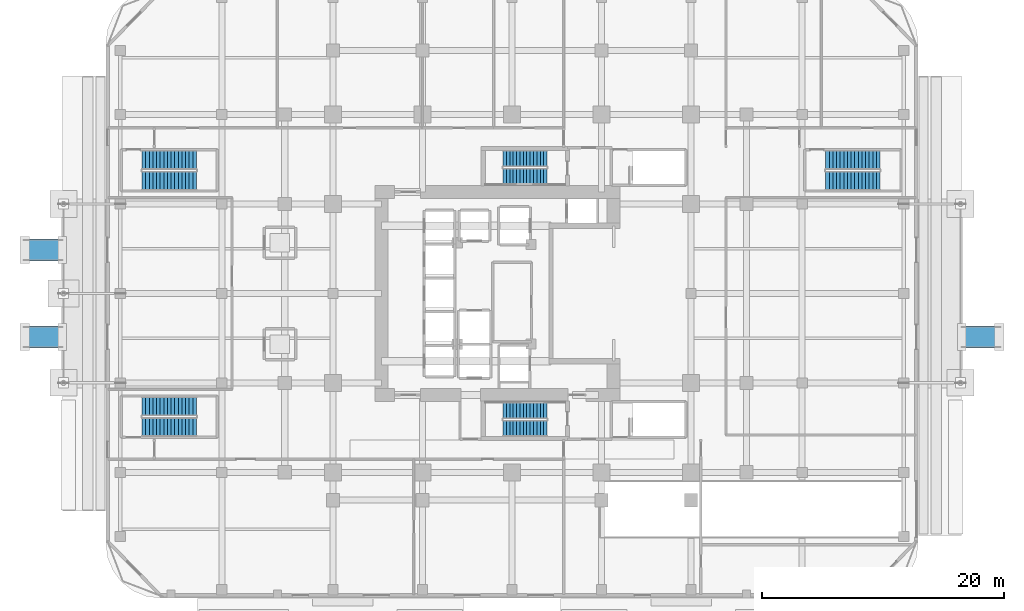
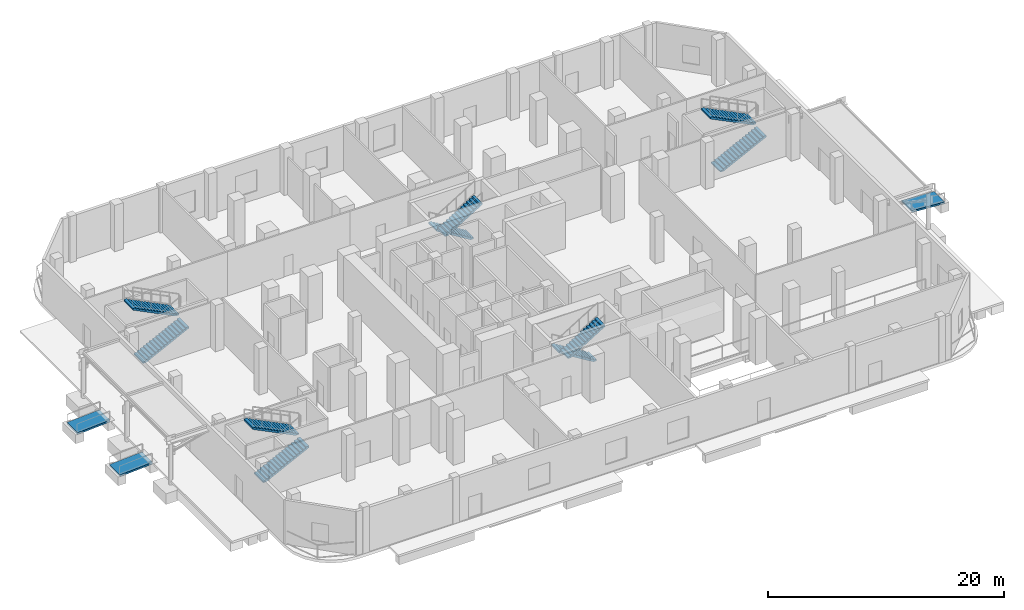
# One storey, part 18 of 24: 10 stair flights, 3 ramp flights, 8 elements without a shape of their own.
"""IFC4 building model written with IfcOpenShell, lengths in metres."""

import ifcopenshell
import ifcopenshell.guid

model = None  # the IFC model being written
_history = None  # IfcOwnerHistory: only IFC2X3 demands one
_inside = {}  # id of a spatial element -> (the spatial element, [elements in it])
_under = {}  # id of a project, library or spatial element -> (it, [spatial elements below it])
_declared = {}  # id of a project -> (the project, [libraries it declares])
_typed = {}  # id of a type object -> (the type object, [elements of that type])
_made_of = {}  # id of a material, layer set ... -> (it, [elements and type objects made of it])


def new_model(schema):
    """Start an empty IFC model of exactly this schema.

    Asked for "IFC4X3", IfcOpenShell would pick the latest addendum, in which some entities
    have other attributes; the version numbers below select the first issue.
    IFC2X3 requires an IfcOwnerHistory on every rooted entity: one is made here for all.
    """
    global model, _history
    if schema == "IFC4X3":
        model = ifcopenshell.file(schema_version=(4, 3, 0, 0))
    else:
        model = ifcopenshell.file(schema=schema)
    _inside.clear()
    _under.clear()
    _declared.clear()
    _typed.clear()
    _made_of.clear()
    _history = None
    if model.schema == "IFC2X3":
        org = make("IfcOrganization", Name="unknown")
        user = make(
            "IfcPersonAndOrganization",
            ThePerson=make("IfcPerson", FamilyName="unknown"),
            TheOrganization=org,
        )
        app = make(
            "IfcApplication",
            ApplicationDeveloper=org,
            Version="unknown",
            ApplicationFullName="unknown",
            ApplicationIdentifier="unknown",
        )
        _history = make(
            "IfcOwnerHistory",
            OwningUser=user,
            OwningApplication=app,
            ChangeAction="ADDED",
            CreationDate=0,
        )
    return model


def make(cls, **values):
    """One entity of the class cls with the attributes given. An attribute that is None is left unset."""
    return model.create_entity(
        cls, **{name: value for name, value in values.items() if value is not None}
    )


def rooted(cls, **values):
    """An entity with a GlobalId (a new one), such as an element, a storey or a relation."""
    return make(cls, GlobalId=ifcopenshell.guid.new(), OwnerHistory=_history, **values)


def si_unit(unit_type, name, prefix=None):
    """IfcSIUnit, for example si_unit("LENGTHUNIT", "METRE", prefix="MILLI")."""
    return make("IfcSIUnit", UnitType=unit_type, Prefix=prefix, Name=name)


def assignment(units):
    """IfcUnitAssignment: the units of a project."""
    return None if units is None else make("IfcUnitAssignment", Units=units)


def point(xyz):
    """IfcCartesianPoint."""
    return None if xyz is None else make("IfcCartesianPoint", Coordinates=xyz)


def direction(xyz):
    """IfcDirection."""
    return None if xyz is None else make("IfcDirection", DirectionRatios=xyz)


def frame(location, z_axis=None, x_axis=None):
    """IfcAxis2Placement3D, a coordinate frame: its origin and axes. An axis left out is left unset."""
    return make(
        "IfcAxis2Placement3D",
        Location=point(location),
        Axis=direction(z_axis),
        RefDirection=direction(x_axis),
    )


def origin():
    """The frame at (0, 0, 0) with its axes left unset."""
    return frame((0.0, 0.0, 0.0))


def place(relative_to, where):
    """IfcLocalPlacement: puts the frame where relative to a parent placement (None: the world)."""
    return make(
        "IfcLocalPlacement", PlacementRelTo=relative_to, RelativePlacement=where
    )


def context(
    kind, dimensions, precision=None, world=None, true_north=None, identifier=None
):
    """IfcGeometricRepresentationContext, for example the 3D "Model" context."""
    return make(
        "IfcGeometricRepresentationContext",
        ContextIdentifier=identifier,
        ContextType=kind,
        CoordinateSpaceDimension=dimensions,
        Precision=precision,
        WorldCoordinateSystem=world,
        TrueNorth=true_north,
    )


def subcontext(parent, identifier, kind, view, scale=None):
    """IfcGeometricRepresentationSubContext, for example "Body" below "Model"."""
    return make(
        "IfcGeometricRepresentationSubContext",
        ContextIdentifier=identifier,
        ContextType=kind,
        ParentContext=parent,
        TargetScale=scale,
        TargetView=view,
    )


def project(units=None, contexts=None):
    """IfcProject with its units and contexts."""
    return rooted(
        "IfcProject",
        Name="project",
        RepresentationContexts=contexts,
        UnitsInContext=assignment(units),
    )


def spatial(cls, under=None, at=None, **own):
    """A site, building, storey or space (cls), placed at a placement, below another one or the project."""
    s = rooted(cls, ObjectPlacement=at, **own)
    if under is not None:
        _under.setdefault(under.id(), (under, []))[1].append(s)
    return s


def polyline(points):
    """IfcPolyline through the points."""
    return make("IfcPolyline", Points=[point(p) for p in points])


def outline(outer, holes=None, kind="AREA"):
    """IfcArbitraryClosedProfileDef: a profile drawn as a closed curve; with holes, ...WithVoids."""
    if holes is None:
        return make("IfcArbitraryClosedProfileDef", ProfileType=kind, OuterCurve=outer)
    return make(
        "IfcArbitraryProfileDefWithVoids",
        ProfileType=kind,
        OuterCurve=outer,
        InnerCurves=holes,
    )


def extrude(swept, where, along, depth):
    """IfcExtrudedAreaSolid: the profile swept, set in the frame where, extruded along a direction by depth."""
    return make(
        "IfcExtrudedAreaSolid",
        SweptArea=swept,
        Position=where,
        ExtrudedDirection=direction(along),
        Depth=depth,
    )


def shape(context_of_items, identifier, shape_type, items):
    """IfcShapeRepresentation: the items that make up one representation, for example the "Body"."""
    return make(
        "IfcShapeRepresentation",
        ContextOfItems=context_of_items,
        RepresentationIdentifier=identifier,
        RepresentationType=shape_type,
        Items=items,
    )


def material(Name=None, Category=None):
    """IfcMaterial."""
    return make("IfcMaterial", Name=Name, Category=Category)


def layer(
    of_material, thickness, ventilated=None, Name=None, Category=None, Priority=None
):
    """IfcMaterialLayer: one layer of a wall or slab, of a material (None: an air gap)."""
    return make(
        "IfcMaterialLayer",
        Material=of_material,
        LayerThickness=thickness,
        IsVentilated=ventilated,
        Name=Name,
        Category=Category,
        Priority=Priority,
    )


def layer_set(layers, Name=None):
    """IfcMaterialLayerSet."""
    return make("IfcMaterialLayerSet", MaterialLayers=layers, LayerSetName=Name)


def made_of(thing, what):
    """Note that an element or type object is made of a material, layer set ...; save() writes the relation."""
    if what is not None:
        _made_of.setdefault(what.id(), (what, []))[1].append(thing)
    return thing


def type_object(cls, material=None, **own):
    """A type object (cls), such as IfcWallType, which elements share."""
    return made_of(rooted(cls, **own), material)


def element(
    cls,
    number,
    at=None,
    inside=None,
    cuts=None,
    type_object=None,
    material=None,
    context=None,
    identifier="Body",
    shape_type=None,
    held_by="IfcProductDefinitionShape",
    body=None,
    shapes=None,
    **own,
):
    """One element of the class cls, such as IfcWall. Its Tag is "e" and its number.

    at: its placement. inside: the storey or other place that contains it. cuts: it is an
    opening in that element (IfcRelVoidsElement). A single representation is given by context,
    identifier, shape_type and body (its items); several are given by shapes. held_by: the class
    of the entity that holds the representations. save() writes the other relations.
    """
    e = rooted(cls, Tag="e%d" % number, ObjectPlacement=at, **own)
    if body is not None:
        shapes = [shape(context, identifier, shape_type, body)]
    if shapes is not None:
        e.Representation = make(held_by, Representations=shapes)
    if inside is not None:
        _inside.setdefault(inside.id(), (inside, []))[1].append(e)
    if cuts is not None:
        rooted(
            "IfcRelVoidsElement", RelatingBuildingElement=cuts, RelatedOpeningElement=e
        )
    if type_object is not None:
        _typed.setdefault(type_object.id(), (type_object, []))[1].append(e)
    return made_of(e, material)


def aggregate(whole, parts):
    """IfcRelAggregates: a whole, such as a stair, and the parts it consists of."""
    return rooted("IfcRelAggregates", RelatingObject=whole, RelatedObjects=parts)


def save(model, path):
    """Write the relations noted so far, then the file.

    IfcRelAggregates (storeys below a building ...), IfcRelContainedInSpatialStructure (elements
    in a storey), IfcRelDefinesByType, IfcRelAssociatesMaterial and IfcRelDeclares: one each for
    every whole, place, type object, material and project.
    """
    for whole, parts in _under.values():
        aggregate(whole, parts)
    for where, things in _inside.values():
        rooted(
            "IfcRelContainedInSpatialStructure",
            RelatedElements=things,
            RelatingStructure=where,
        )
    for kind, things in _typed.values():
        rooted("IfcRelDefinesByType", RelatedObjects=things, RelatingType=kind)
    for what, things in _made_of.values():
        rooted("IfcRelAssociatesMaterial", RelatedObjects=things, RelatingMaterial=what)
    for by, libraries in _declared.values():
        rooted("IfcRelDeclares", RelatingContext=by, RelatedDefinitions=libraries)
    model.write(path)


model = new_model("IFC4")

# Units and contexts
model_context = context("Model", 3, precision=1e-05, world=origin(), true_north=direction((0.0, 1.0)))
body_context = subcontext(model_context, "Body", "Model", "MODEL_VIEW")
ifc_project = project(units=[si_unit("LENGTHUNIT", "METRE"), si_unit("AREAUNIT", "SQUARE_METRE"), si_unit("VOLUMEUNIT", "CUBIC_METRE"), si_unit("PLANEANGLEUNIT", "RADIAN"), si_unit("MASSUNIT", "GRAM", prefix="KILO")], contexts=[model_context])

# Site, building, storey
site_placement = place(None, origin())
site = spatial("IfcSite", under=ifc_project, at=site_placement, CompositionType="ELEMENT")
building_placement = place(site_placement, origin())
building = spatial("IfcBuilding", under=site, at=building_placement, Name="Khorvyn Point Tower", CompositionType="ELEMENT")
storey_placement = place(building_placement, origin())
storey = spatial("IfcBuildingStorey", under=building, at=storey_placement, Name="L01", CompositionType="ELEMENT", Elevation=0.0)

# Stair, stair flights
ifc_material_1 = material(Name="Concrete C40/50", Category="concrete")
stair_type_1 = type_object("IfcStairType", Name="School Podium Concrete C40/50 Wide Exit Stair", PredefinedType="HALF_TURN_STAIR", material=ifc_material_1)
stair_1_placement = place(storey_placement, origin())
stair_1 = element("IfcStair", 1, at=stair_1_placement, inside=storey, type_object=stair_type_1, Name="L01 School Podium Smokeproof Stair Southwest", PredefinedType="HALF_TURN_STAIR")
stair_flight_type_1 = type_object("IfcStairFlightType", Name="School Podium Concrete C40/50 Gentle-Riser Flight", PredefinedType="STRAIGHT", material=ifc_material_1)
stair_flight_1_placement = place(storey_placement, frame((-30.60009765625, -11.044921875, 0.0), z_axis=(0.0, 0.0, 1.0), x_axis=(1.0, 0.0, 0.0)))
stair_flight_1 = element("IfcStairFlight", 2, at=stair_flight_1_placement, type_object=stair_flight_type_1, Name="ST-S1 flight 1", NumberOfRisers=16, NumberOfTreads=15, PredefinedType="STRAIGHT", RiserHeight=0.15, TreadLength=0.3, context=body_context, shape_type="SweptSolid", body=[
    extrude(outline(polyline([(0.0, 0.0), (0.0, 0.14990234375), (0.300048828125, 0.14990234375), (0.300048828125, 0.300048828125), (0.60009765625, 0.300048828125), (0.60009765625, 0.449951171875), (0.89990234375, 0.449951171875), (0.89990234375, 0.60009765625), (1.199951171875, 0.60009765625), (1.199951171875, 0.75), (1.5, 0.75), (1.5, 0.89990234375), (1.800048828125, 0.89990234375), (1.800048828125, 1.050048828125), (2.10009765625, 1.050048828125), (2.10009765625, 1.199951171875), (2.39990234375, 1.199951171875), (2.39990234375, 1.35009765625), (2.699951171875, 1.35009765625), (2.699951171875, 1.5), (3.0, 1.5), (3.0, 1.64990234375), (3.300048828125, 1.64990234375), (3.300048828125, 1.800048828125), (3.60009765625, 1.800048828125), (3.60009765625, 1.949951171875), (3.89990234375, 1.949951171875), (3.89990234375, 2.10009765625), (4.199951171875, 2.10009765625), (4.199951171875, 2.25), (4.5, 2.25), (4.5, 2.39990234375), (4.5, 2.08251953125), (0.335205078125, 0.0), (0.0, 0.0)])), frame((0.0, 0.77490234375, 0.0), z_axis=(0.0, -1.0, 0.0), x_axis=(1.0, 0.0, 0.0)), (0.0, 0.0, 1.0), 1.550048828125),
])
stair_flight_2_placement = place(storey_placement, frame((-26.10009765625, -9.3349609375, 2.39990234375), z_axis=(0.0, 0.0, 1.0), x_axis=(-1.0, 0.0, 0.0)))
stair_flight_2 = element("IfcStairFlight", 3, at=stair_flight_2_placement, type_object=stair_flight_type_1, Name="ST-S1 flight 2", NumberOfRisers=16, NumberOfTreads=15, PredefinedType="STRAIGHT", RiserHeight=0.15, TreadLength=0.3, context=body_context, shape_type="SweptSolid", body=[
    extrude(outline(polyline([(0.0, 0.0), (0.0, 0.14990234375), (0.300048828125, 0.14990234375), (0.300048828125, 0.300048828125), (0.60009765625, 0.300048828125), (0.60009765625, 0.449951171875), (0.89990234375, 0.449951171875), (0.89990234375, 0.60009765625), (1.199951171875, 0.60009765625), (1.199951171875, 0.75), (1.5, 0.75), (1.5, 0.89990234375), (1.800048828125, 0.89990234375), (1.800048828125, 1.050048828125), (2.10009765625, 1.050048828125), (2.10009765625, 1.199951171875), (2.39990234375, 1.199951171875), (2.39990234375, 1.35009765625), (2.699951171875, 1.35009765625), (2.699951171875, 1.5), (3.0, 1.5), (3.0, 1.64990234375), (3.300048828125, 1.64990234375), (3.300048828125, 1.800048828125), (3.60009765625, 1.800048828125), (3.60009765625, 1.949951171875), (3.89990234375, 1.949951171875), (3.89990234375, 2.10009765625), (4.199951171875, 2.10009765625), (4.199951171875, 2.25), (4.5, 2.25), (4.5, 2.39990234375), (4.5, 2.08251953125), (0.335205078125, 0.0), (0.0, 0.0)])), frame((0.0, 0.77490234375, 0.0), z_axis=(0.0, -1.0, 0.0), x_axis=(1.0, 0.0, 0.0)), (0.0, 0.0, 1.0), 1.550048828125),
])
aggregate(stair_1, [stair_flight_1, stair_flight_2])

stair_2_placement = place(storey_placement, origin())
stair_2 = element("IfcStair", 4, at=stair_2_placement, inside=storey, type_object=stair_type_1, Name="L01 School Podium Smokeproof Stair Northwest", PredefinedType="HALF_TURN_STAIR")
stair_flight_3_placement = place(storey_placement, frame((-30.60009765625, 9.3349609375, 0.0), z_axis=(0.0, 0.0, 1.0), x_axis=(1.0, 0.0, 0.0)))
stair_flight_3 = element("IfcStairFlight", 5, at=stair_flight_3_placement, type_object=stair_flight_type_1, Name="ST-S2 flight 1", NumberOfRisers=16, NumberOfTreads=15, PredefinedType="STRAIGHT", RiserHeight=0.15, TreadLength=0.3, context=body_context, shape_type="SweptSolid", body=[
    extrude(outline(polyline([(0.0, 0.0), (0.0, 0.14990234375), (0.300048828125, 0.14990234375), (0.300048828125, 0.300048828125), (0.60009765625, 0.300048828125), (0.60009765625, 0.449951171875), (0.89990234375, 0.449951171875), (0.89990234375, 0.60009765625), (1.199951171875, 0.60009765625), (1.199951171875, 0.75), (1.5, 0.75), (1.5, 0.89990234375), (1.800048828125, 0.89990234375), (1.800048828125, 1.050048828125), (2.10009765625, 1.050048828125), (2.10009765625, 1.199951171875), (2.39990234375, 1.199951171875), (2.39990234375, 1.35009765625), (2.699951171875, 1.35009765625), (2.699951171875, 1.5), (3.0, 1.5), (3.0, 1.64990234375), (3.300048828125, 1.64990234375), (3.300048828125, 1.800048828125), (3.60009765625, 1.800048828125), (3.60009765625, 1.949951171875), (3.89990234375, 1.949951171875), (3.89990234375, 2.10009765625), (4.199951171875, 2.10009765625), (4.199951171875, 2.25), (4.5, 2.25), (4.5, 2.39990234375), (4.5, 2.08251953125), (0.335205078125, 0.0), (0.0, 0.0)])), frame((0.0, 0.77490234375, 0.0), z_axis=(0.0, -1.0, 0.0), x_axis=(1.0, 0.0, 0.0)), (0.0, 0.0, 1.0), 1.550048828125),
])
stair_flight_4_placement = place(storey_placement, frame((-26.10009765625, 11.044921875, 2.39990234375), z_axis=(0.0, 0.0, 1.0), x_axis=(-1.0, 0.0, 0.0)))
stair_flight_4 = element("IfcStairFlight", 6, at=stair_flight_4_placement, type_object=stair_flight_type_1, Name="ST-S2 flight 2", NumberOfRisers=16, NumberOfTreads=15, PredefinedType="STRAIGHT", RiserHeight=0.15, TreadLength=0.3, context=body_context, shape_type="SweptSolid", body=[
    extrude(outline(polyline([(0.0, 0.0), (0.0, 0.14990234375), (0.300048828125, 0.14990234375), (0.300048828125, 0.300048828125), (0.60009765625, 0.300048828125), (0.60009765625, 0.449951171875), (0.89990234375, 0.449951171875), (0.89990234375, 0.60009765625), (1.199951171875, 0.60009765625), (1.199951171875, 0.75), (1.5, 0.75), (1.5, 0.89990234375), (1.800048828125, 0.89990234375), (1.800048828125, 1.050048828125), (2.10009765625, 1.050048828125), (2.10009765625, 1.199951171875), (2.39990234375, 1.199951171875), (2.39990234375, 1.35009765625), (2.699951171875, 1.35009765625), (2.699951171875, 1.5), (3.0, 1.5), (3.0, 1.64990234375), (3.300048828125, 1.64990234375), (3.300048828125, 1.800048828125), (3.60009765625, 1.800048828125), (3.60009765625, 1.949951171875), (3.89990234375, 1.949951171875), (3.89990234375, 2.10009765625), (4.199951171875, 2.10009765625), (4.199951171875, 2.25), (4.5, 2.25), (4.5, 2.39990234375), (4.5, 2.08251953125), (0.335205078125, 0.0), (0.0, 0.0)])), frame((0.0, 0.77490234375, 0.0), z_axis=(0.0, -1.0, 0.0), x_axis=(1.0, 0.0, 0.0)), (0.0, 0.0, 1.0), 1.550048828125),
])
aggregate(stair_2, [stair_flight_3, stair_flight_4])

stair_3_placement = place(storey_placement, origin())
stair_3 = element("IfcStair", 7, at=stair_3_placement, inside=storey, type_object=stair_type_1, Name="L01 School Podium Smokeproof Stair Northeast", PredefinedType="HALF_TURN_STAIR")
stair_flight_5_placement = place(storey_placement, frame((25.949951171875, 9.3349609375, 0.0), z_axis=(0.0, 0.0, 1.0), x_axis=(1.0, 0.0, 0.0)))
stair_flight_5 = element("IfcStairFlight", 8, at=stair_flight_5_placement, type_object=stair_flight_type_1, Name="ST-S3 flight 1", NumberOfRisers=16, NumberOfTreads=15, PredefinedType="STRAIGHT", RiserHeight=0.15, TreadLength=0.3, context=body_context, shape_type="SweptSolid", body=[
    extrude(outline(polyline([(0.0, 0.0), (0.0, 0.14990234375), (0.300048828125, 0.14990234375), (0.300048828125, 0.300048828125), (0.60009765625, 0.300048828125), (0.60009765625, 0.449951171875), (0.89990234375, 0.449951171875), (0.89990234375, 0.60009765625), (1.199951171875, 0.60009765625), (1.199951171875, 0.75), (1.5, 0.75), (1.5, 0.89990234375), (1.800048828125, 0.89990234375), (1.800048828125, 1.050048828125), (2.10009765625, 1.050048828125), (2.10009765625, 1.199951171875), (2.39990234375, 1.199951171875), (2.39990234375, 1.35009765625), (2.699951171875, 1.35009765625), (2.699951171875, 1.5), (3.0, 1.5), (3.0, 1.64990234375), (3.300048828125, 1.64990234375), (3.300048828125, 1.800048828125), (3.60009765625, 1.800048828125), (3.60009765625, 1.949951171875), (3.89990234375, 1.949951171875), (3.89990234375, 2.10009765625), (4.199951171875, 2.10009765625), (4.199951171875, 2.25), (4.5, 2.25), (4.5, 2.39990234375), (4.5, 2.08251953125), (0.335205078125, 0.0), (0.0, 0.0)])), frame((0.0, 0.77490234375, 0.0), z_axis=(0.0, -1.0, 0.0), x_axis=(1.0, 0.0, 0.0)), (0.0, 0.0, 1.0), 1.550048828125),
])
stair_flight_6_placement = place(storey_placement, frame((30.449951171875, 11.044921875, 2.39990234375), z_axis=(0.0, 0.0, 1.0), x_axis=(-1.0, 0.0, 0.0)))
stair_flight_6 = element("IfcStairFlight", 9, at=stair_flight_6_placement, type_object=stair_flight_type_1, Name="ST-S3 flight 2", NumberOfRisers=16, NumberOfTreads=15, PredefinedType="STRAIGHT", RiserHeight=0.15, TreadLength=0.3, context=body_context, shape_type="SweptSolid", body=[
    extrude(outline(polyline([(0.0, 0.0), (0.0, 0.14990234375), (0.300048828125, 0.14990234375), (0.300048828125, 0.300048828125), (0.60009765625, 0.300048828125), (0.60009765625, 0.449951171875), (0.89990234375, 0.449951171875), (0.89990234375, 0.60009765625), (1.199951171875, 0.60009765625), (1.199951171875, 0.75), (1.5, 0.75), (1.5, 0.89990234375), (1.800048828125, 0.89990234375), (1.800048828125, 1.050048828125), (2.10009765625, 1.050048828125), (2.10009765625, 1.199951171875), (2.39990234375, 1.199951171875), (2.39990234375, 1.35009765625), (2.699951171875, 1.35009765625), (2.699951171875, 1.5), (3.0, 1.5), (3.0, 1.64990234375), (3.300048828125, 1.64990234375), (3.300048828125, 1.800048828125), (3.60009765625, 1.800048828125), (3.60009765625, 1.949951171875), (3.89990234375, 1.949951171875), (3.89990234375, 2.10009765625), (4.199951171875, 2.10009765625), (4.199951171875, 2.25), (4.5, 2.25), (4.5, 2.39990234375), (4.5, 2.08251953125), (0.335205078125, 0.0), (0.0, 0.0)])), frame((0.0, 0.77490234375, 0.0), z_axis=(0.0, -1.0, 0.0), x_axis=(1.0, 0.0, 0.0)), (0.0, 0.0, 1.0), 1.550048828125),
])
aggregate(stair_3, [stair_flight_5, stair_flight_6])

stair_type_2 = type_object("IfcStairType", Name="Tower Concrete C40/50 Dogleg Exit Stair", PredefinedType="HALF_TURN_STAIR", material=ifc_material_1)
stair_4_placement = place(storey_placement, origin())
stair_4 = element("IfcStair", 10, at=stair_4_placement, inside=storey, type_object=stair_type_2, Name="L01 Tower Smokeproof Exit Stair South", PredefinedType="HALF_TURN_STAIR")
stair_flight_type_2 = type_object("IfcStairFlightType", Name="Tower Concrete C40/50 Stair Flight", PredefinedType="STRAIGHT", material=ifc_material_1)
stair_flight_7_placement = place(storey_placement, frame((2.89990234375, -9.679931640625, 0.0), z_axis=(0.0, 0.0, 1.0), x_axis=(-1.0, 0.0, 0.0)))
stair_flight_7 = element("IfcStairFlight", 11, at=stair_flight_7_placement, type_object=stair_flight_type_2, Name="ST-01 flight 1", NumberOfRisers=14, NumberOfTreads=13, PredefinedType="STRAIGHT", RiserHeight=0.171428571, TreadLength=0.28, context=body_context, shape_type="SweptSolid", body=[
    extrude(outline(polyline([(0.0, 0.0), (0.0, 0.17138671875), (0.280029296875, 0.17138671875), (0.280029296875, 0.3427734375), (0.56005859375, 0.3427734375), (0.56005859375, 0.514404296875), (0.840087890625, 0.514404296875), (0.840087890625, 0.685791015625), (1.1201171875, 0.685791015625), (1.1201171875, 0.857177734375), (1.39990234375, 0.857177734375), (1.39990234375, 1.028564453125), (1.679931640625, 1.028564453125), (1.679931640625, 1.199951171875), (1.9599609375, 1.199951171875), (1.9599609375, 1.371337890625), (2.239990234375, 1.371337890625), (2.239990234375, 1.54296875), (2.52001953125, 1.54296875), (2.52001953125, 1.71435546875), (2.800048828125, 1.71435546875), (2.800048828125, 1.8857421875), (3.080078125, 1.8857421875), (3.080078125, 2.05712890625), (3.360107421875, 2.05712890625), (3.360107421875, 2.228515625), (3.639892578125, 2.228515625), (3.639892578125, 2.39990234375), (3.639892578125, 2.052734375), (0.287109375, 0.0), (0.0, 0.0)])), frame((0.0, 0.66015625, 0.0), z_axis=(0.0, -1.0, 0.0), x_axis=(1.0, 0.0, 0.0)), (0.0, 0.0, 1.0), 1.320068359375),
])
stair_flight_8_placement = place(storey_placement, frame((-0.739990234375, -11.159912109375, 2.39990234375), z_axis=(0.0, 0.0, 1.0), x_axis=(1.0, 0.0, 0.0)))
stair_flight_8 = element("IfcStairFlight", 12, at=stair_flight_8_placement, type_object=stair_flight_type_2, Name="ST-01 flight 2", NumberOfRisers=14, NumberOfTreads=13, PredefinedType="STRAIGHT", RiserHeight=0.171428571, TreadLength=0.28, context=body_context, shape_type="SweptSolid", body=[
    extrude(outline(polyline([(0.0, 0.0), (0.0, 0.17138671875), (0.280029296875, 0.17138671875), (0.280029296875, 0.3427734375), (0.56005859375, 0.3427734375), (0.56005859375, 0.514404296875), (0.840087890625, 0.514404296875), (0.840087890625, 0.685791015625), (1.1201171875, 0.685791015625), (1.1201171875, 0.857177734375), (1.39990234375, 0.857177734375), (1.39990234375, 1.028564453125), (1.679931640625, 1.028564453125), (1.679931640625, 1.199951171875), (1.9599609375, 1.199951171875), (1.9599609375, 1.371337890625), (2.239990234375, 1.371337890625), (2.239990234375, 1.54296875), (2.52001953125, 1.54296875), (2.52001953125, 1.71435546875), (2.800048828125, 1.71435546875), (2.800048828125, 1.8857421875), (3.080078125, 1.8857421875), (3.080078125, 2.05712890625), (3.360107421875, 2.05712890625), (3.360107421875, 2.228515625), (3.639892578125, 2.228515625), (3.639892578125, 2.39990234375), (3.639892578125, 2.052734375), (0.287109375, 0.0), (0.0, 0.0)])), frame((0.0, 0.66015625, 0.0), z_axis=(0.0, -1.0, 0.0), x_axis=(1.0, 0.0, 0.0)), (0.0, 0.0, 1.0), 1.320068359375),
])
aggregate(stair_4, [stair_flight_7, stair_flight_8])

stair_5_placement = place(storey_placement, origin())
stair_5 = element("IfcStair", 13, at=stair_5_placement, inside=storey, type_object=stair_type_2, Name="L01 Tower Smokeproof Exit Stair North", PredefinedType="HALF_TURN_STAIR")
stair_flight_9_placement = place(storey_placement, frame((2.89990234375, 11.159912109375, 0.0), z_axis=(0.0, 0.0, 1.0), x_axis=(-1.0, 0.0, 0.0)))
stair_flight_9 = element("IfcStairFlight", 14, at=stair_flight_9_placement, type_object=stair_flight_type_2, Name="ST-02 flight 1", NumberOfRisers=14, NumberOfTreads=13, PredefinedType="STRAIGHT", RiserHeight=0.171428571, TreadLength=0.28, context=body_context, shape_type="SweptSolid", body=[
    extrude(outline(polyline([(0.0, 0.0), (0.0, 0.17138671875), (0.280029296875, 0.17138671875), (0.280029296875, 0.3427734375), (0.56005859375, 0.3427734375), (0.56005859375, 0.514404296875), (0.840087890625, 0.514404296875), (0.840087890625, 0.685791015625), (1.1201171875, 0.685791015625), (1.1201171875, 0.857177734375), (1.39990234375, 0.857177734375), (1.39990234375, 1.028564453125), (1.679931640625, 1.028564453125), (1.679931640625, 1.199951171875), (1.9599609375, 1.199951171875), (1.9599609375, 1.371337890625), (2.239990234375, 1.371337890625), (2.239990234375, 1.54296875), (2.52001953125, 1.54296875), (2.52001953125, 1.71435546875), (2.800048828125, 1.71435546875), (2.800048828125, 1.8857421875), (3.080078125, 1.8857421875), (3.080078125, 2.05712890625), (3.360107421875, 2.05712890625), (3.360107421875, 2.228515625), (3.639892578125, 2.228515625), (3.639892578125, 2.39990234375), (3.639892578125, 2.052734375), (0.287109375, 0.0), (0.0, 0.0)])), frame((0.0, 0.66015625, 0.0), z_axis=(0.0, -1.0, 0.0), x_axis=(1.0, 0.0, 0.0)), (0.0, 0.0, 1.0), 1.320068359375),
])
stair_flight_10_placement = place(storey_placement, frame((-0.739990234375, 9.679931640625, 2.39990234375), z_axis=(0.0, 0.0, 1.0), x_axis=(1.0, 0.0, 0.0)))
stair_flight_10 = element("IfcStairFlight", 15, at=stair_flight_10_placement, type_object=stair_flight_type_2, Name="ST-02 flight 2", NumberOfRisers=14, NumberOfTreads=13, PredefinedType="STRAIGHT", RiserHeight=0.171428571, TreadLength=0.28, context=body_context, shape_type="SweptSolid", body=[
    extrude(outline(polyline([(0.0, 0.0), (0.0, 0.17138671875), (0.280029296875, 0.17138671875), (0.280029296875, 0.3427734375), (0.56005859375, 0.3427734375), (0.56005859375, 0.514404296875), (0.840087890625, 0.514404296875), (0.840087890625, 0.685791015625), (1.1201171875, 0.685791015625), (1.1201171875, 0.857177734375), (1.39990234375, 0.857177734375), (1.39990234375, 1.028564453125), (1.679931640625, 1.028564453125), (1.679931640625, 1.199951171875), (1.9599609375, 1.199951171875), (1.9599609375, 1.371337890625), (2.239990234375, 1.371337890625), (2.239990234375, 1.54296875), (2.52001953125, 1.54296875), (2.52001953125, 1.71435546875), (2.800048828125, 1.71435546875), (2.800048828125, 1.8857421875), (3.080078125, 1.8857421875), (3.080078125, 2.05712890625), (3.360107421875, 2.05712890625), (3.360107421875, 2.228515625), (3.639892578125, 2.228515625), (3.639892578125, 2.39990234375), (3.639892578125, 2.052734375), (0.287109375, 0.0), (0.0, 0.0)])), frame((0.0, 0.66015625, 0.0), z_axis=(0.0, -1.0, 0.0), x_axis=(1.0, 0.0, 0.0)), (0.0, 0.0, 1.0), 1.320068359375),
])
aggregate(stair_5, [stair_flight_9, stair_flight_10])

# Ramp, ramp flight
ifc_material_2 = material(Name="Concrete C35/45", Category="concrete")
ramp_type = type_object("IfcRampType", Name="Concrete C35/45 Accessible Entrance Threshold Ramp", PredefinedType="STRAIGHT_RUN_RAMP", material=ifc_material_2)
ramp_1_placement = place(storey_placement, origin())
ramp_1 = element("IfcRamp", 16, at=ramp_1_placement, inside=storey, type_object=ramp_type, Name="L01 West School Forecourt Step-Free Threshold Ramp", PredefinedType="STRAIGHT_RUN_RAMP")
ifc_layer = layer(ifc_material_2, 0.179931640625)
ifc_layer_set = layer_set([ifc_layer], Name="Concrete C35/45 Accessible Ramp Flight 180")
ramp_flight_type = type_object("IfcRampFlightType", Name="Concrete C35/45 Accessible Ramp Flight 180", PredefinedType="STRAIGHT", material=ifc_layer_set)
ramp_flight_1_placement = place(storey_placement, frame((-40.39990234375, -3.60009765625, -0.199951171875), z_axis=(0.0, 0.0, 1.0), x_axis=(1.0, 0.0, 0.0)))
ramp_flight_1 = element("IfcRampFlight", 17, at=ramp_flight_1_placement, type_object=ramp_flight_type, Name="L01 West School Forecourt Step-Free Threshold Ramp Flight", PredefinedType="STRAIGHT", context=body_context, shape_type="SweptSolid", body=[
    extrude(outline(polyline([(0.0, 0.0), (0.0, -0.179931640625), (3.199951171875, 0.02001953125), (3.199951171875, 0.199951171875), (0.0, 0.0)])), frame((0.0, 0.89990234375, 0.0), z_axis=(0.0, -1.0, 0.0), x_axis=(1.0, 0.0, 0.0)), (0.0, 0.0, 1.0), 1.800048828125),
])
aggregate(ramp_1, [ramp_flight_1])

ramp_2_placement = place(storey_placement, origin())
ramp_2 = element("IfcRamp", 18, at=ramp_2_placement, inside=storey, type_object=ramp_type, Name="L01 Northwest School Step-Free Threshold Ramp", PredefinedType="STRAIGHT_RUN_RAMP")
ramp_flight_2_placement = place(storey_placement, frame((-40.39990234375, 3.60009765625, -0.199951171875), z_axis=(0.0, 0.0, 1.0), x_axis=(1.0, 0.0, 0.0)))
ramp_flight_2 = element("IfcRampFlight", 19, at=ramp_flight_2_placement, type_object=ramp_flight_type, Name="L01 Northwest School Step-Free Threshold Ramp Flight", PredefinedType="STRAIGHT", context=body_context, shape_type="SweptSolid", body=[
    extrude(outline(polyline([(0.0, 0.0), (0.0, -0.179931640625), (3.199951171875, 0.02001953125), (3.199951171875, 0.199951171875), (0.0, 0.0)])), frame((0.0, 0.89990234375, 0.0), z_axis=(0.0, -1.0, 0.0), x_axis=(1.0, 0.0, 0.0)), (0.0, 0.0, 1.0), 1.800048828125),
])
aggregate(ramp_2, [ramp_flight_2])

ramp_3_placement = place(storey_placement, origin())
ramp_3 = element("IfcRamp", 20, at=ramp_3_placement, inside=storey, type_object=ramp_type, Name="L01 East Residential Lobby Step-Free Threshold Ramp", PredefinedType="STRAIGHT_RUN_RAMP")
ramp_flight_3_placement = place(storey_placement, frame((40.39990234375, -3.60009765625, -0.199951171875), z_axis=(0.0, 0.0, 1.0), x_axis=(-1.0, 0.0, 0.0)))
ramp_flight_3 = element("IfcRampFlight", 21, at=ramp_flight_3_placement, type_object=ramp_flight_type, Name="L01 East Residential Lobby Step-Free Threshold Ramp Flight", PredefinedType="STRAIGHT", context=body_context, shape_type="SweptSolid", body=[
    extrude(outline(polyline([(0.0, 0.0), (0.0, -0.179931640625), (3.199951171875, 0.02001953125), (3.199951171875, 0.199951171875), (0.0, 0.0)])), frame((0.0, 0.89990234375, 0.0), z_axis=(0.0, -1.0, 0.0), x_axis=(1.0, 0.0, 0.0)), (0.0, 0.0, 1.0), 1.800048828125),
])
aggregate(ramp_3, [ramp_flight_3])

save(model, "model.ifc")
